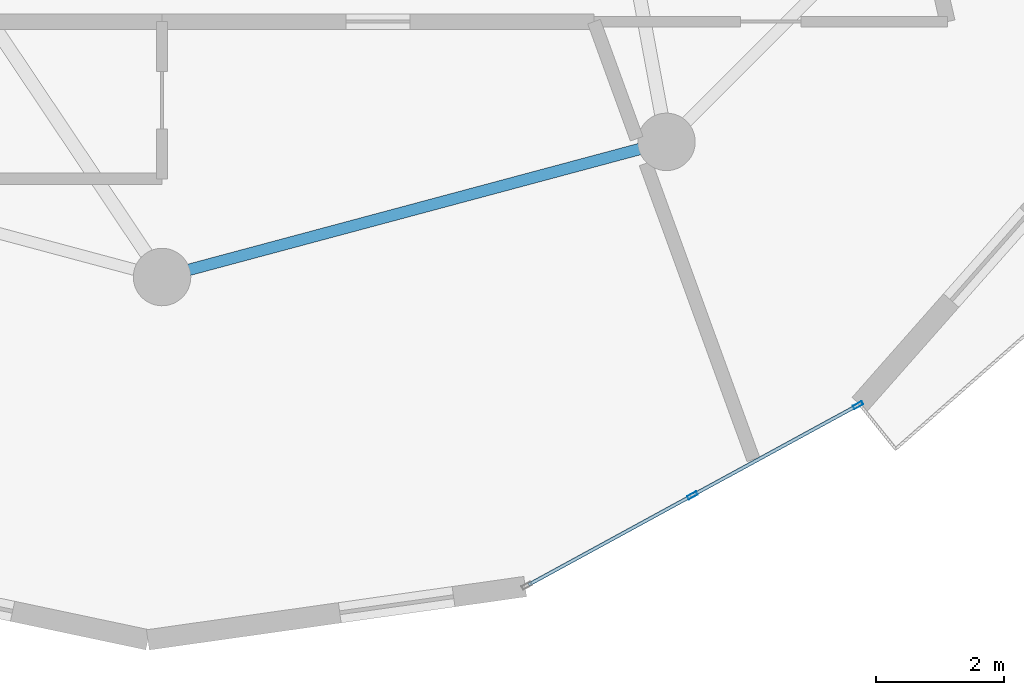
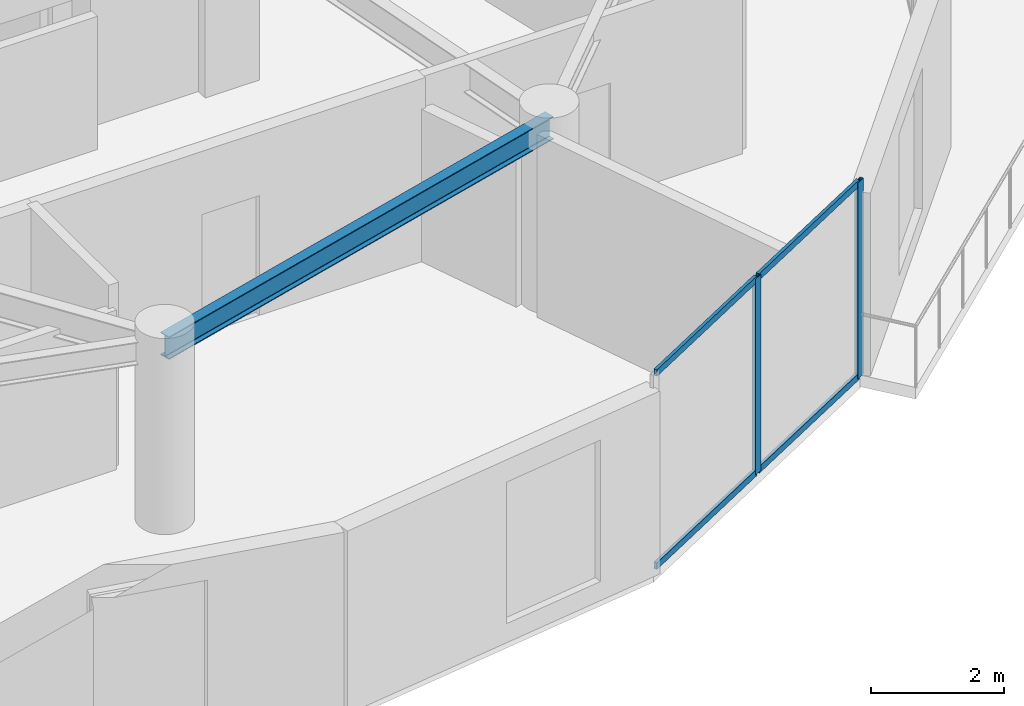
# One storey, part 5 of 21: 6 members, 1 beam, 1 element without a shape of its own.
"""IFC4 building model written with IfcOpenShell, lengths in metres."""

from ifc_helpers import new_model, si_unit, direction, frame, origin, origin_2d, place, context, subcontext, project, spatial, hollow_rectangle, i_section, extrude, source, transform, mapped, material, layer, layer_set, material_profile, profile_set, type_object, element, aggregate, save


model = new_model("IFC4")

# Units and contexts
model_context = context("Model", 3, precision=1e-05, world=origin(), true_north=direction((0.0, 1.0)))
body_context = subcontext(model_context, "Body", "Model", "MODEL_VIEW")
ifc_project = project(units=[si_unit("LENGTHUNIT", "METRE"), si_unit("AREAUNIT", "SQUARE_METRE"), si_unit("VOLUMEUNIT", "CUBIC_METRE"), si_unit("PLANEANGLEUNIT", "RADIAN"), si_unit("MASSUNIT", "GRAM", prefix="KILO")], contexts=[model_context])

# Site, building, storey
site_placement = place(None, origin())
site = spatial("IfcSite", under=ifc_project, at=site_placement, CompositionType="ELEMENT")
building_placement = place(site_placement, origin())
building = spatial("IfcBuilding", under=site, at=building_placement, Name="Solvirekh Grand Hotel", CompositionType="ELEMENT")
storey_placement = place(building_placement, frame((0.0, 0.0, 223.60009765625)))
storey = spatial("IfcBuildingStorey", under=building, at=storey_placement, Name="L58", CompositionType="ELEMENT", Elevation=223.60009765625)

# Beam
ifc_material_1 = material(Name="Steel S355", Category="steel")
ifc_material_profile_1 = material_profile(ifc_material_1, i_section(OverallWidth=0.180908203125, OverallDepth=0.4169921875, WebThickness=0.010009765625, FlangeThickness=0.01611328125, FilletRadius=0.011962890625, at=origin_2d()), Name="W410X85")
ifc_profile_set_1 = profile_set([ifc_material_profile_1], Name="Steel S355")
beam_type = type_object("IfcBeamType", Name="Spandrel_Ring_W410", PredefinedType="SPANDREL", material=ifc_profile_set_1)
beam_placement = place(storey_placement, frame((0.0, -15.800048828125, 3.15185546875), z_axis=(0.965920601923, 0.258838541915, 0.0), x_axis=(-0.258838541915, 0.965920601923, 0.0)))
element("IfcBeam", 1, at=beam_placement, inside=storey, type_object=beam_type, Name="L58 perimeter spandrel beam 10", PredefinedType="SPANDREL", context=body_context, shape_type="SweptSolid", body=[
    extrude(i_section(OverallWidth=0.180908203125, OverallDepth=0.4169921875, WebThickness=0.010009765625, FlangeThickness=0.01611328125, FilletRadius=0.011962890625, at=origin_2d()), origin(), (0.0, 0.0, 1.0), 8.1787109375),
])

# Curtain wall, members
ifc_material_2 = material(Name="Anodized Bronze Aluminium 6063-T6", Category="aluminium")
ifc_layer = layer(ifc_material_2, 0.159912109375)
ifc_layer_set = layer_set([ifc_layer], Name="Anodized Bronze Aluminium 6063-T6")
curtain_wall_type = type_object("IfcCurtainWallType", Name="CW_Sys4_HighZoneFlushBronzeCW", PredefinedType="NOTDEFINED", material=ifc_layer_set)
curtain_wall_placement = place(storey_placement, origin())
curtain_wall = element("IfcCurtainWall", 2, at=curtain_wall_placement, inside=storey, type_object=curtain_wall_type, Name="L58 unitised bronze-glass curtain wall CW-L58-C01", PredefinedType="NOTDEFINED")
ifc_material_profile_2 = material_profile(ifc_material_2, hollow_rectangle(XDim=0.054931640625, YDim=0.1201171875, WallThickness=0.00390625, at=origin_2d()), Name="ALU RHS 120X55X4")
ifc_profile_set_2 = profile_set([ifc_material_profile_2], Name="Anodized Bronze Aluminium 6063-T6")
member_type_1 = type_object("IfcMemberType", Name="CWTransom_Sys4", PredefinedType="USERDEFINED", material=ifc_profile_set_2)
shared_shape_1 = source(origin(), body_context, "Body", "SweptSolid", [
    extrude(hollow_rectangle(XDim=0.054931640625, YDim=0.1201171875, WallThickness=0.00390625, at=origin_2d()), origin(), (0.0, 0.0, 1.0), 2.893310546875),
])
member_1_placement = place(storey_placement, frame((8.332763671875, -19.20556640625, 0.02734375), z_axis=(0.878037418395, 0.478591988962, 0.0), x_axis=(-0.478591988962, 0.878037418395, 0.0)))
member_1 = element("IfcMember", 3, at=member_1_placement, type_object=member_type_1, Name="U04 transom 2.1", ObjectType="TRANSOM", PredefinedType="USERDEFINED", context=body_context, shape_type="MappedRepresentation", body=[
    mapped(shared_shape_1, transform((0.0, 0.0, 0.0), x_axis=(1.0, 0.0, 0.0), y_axis=(0.0, 1.0, 0.0), z_axis=(0.0, 0.0, 1.0), scale=1.0)),
])
member_2_placement = place(storey_placement, frame((8.332763671875, -19.20556640625, 3.572509765625), z_axis=(0.878037418395, 0.478591988962, 0.0), x_axis=(-0.478591988962, 0.878037418395, 0.0)))
member_2 = element("IfcMember", 4, at=member_2_placement, type_object=member_type_1, Name="U04 transom 2.2", ObjectType="TRANSOM", PredefinedType="USERDEFINED", context=body_context, shape_type="MappedRepresentation", body=[
    mapped(shared_shape_1, transform((0.0, 0.0, 0.0), x_axis=(1.0, 0.0, 0.0), y_axis=(0.0, 1.0, 0.0), z_axis=(0.0, 0.0, 1.0), scale=1.0)),
])
ifc_material_profile_3 = material_profile(ifc_material_2, hollow_rectangle(XDim=0.06005859375, YDim=0.159912109375, WallThickness=0.0048828125, at=origin_2d()), Name="ALU RHS 160X60X5")
ifc_profile_set_3 = profile_set([ifc_material_profile_3], Name="Anodized Bronze Aluminium 6063-T6")
member_type_2 = type_object("IfcMemberType", Name="CWMullion_Sys4", PredefinedType="MULLION", material=ifc_profile_set_3)
shared_shape_2 = source(origin(), body_context, "Body", "SweptSolid", [
    extrude(hollow_rectangle(XDim=0.06005859375, YDim=0.159912109375, WallThickness=0.0048828125, at=origin_2d()), origin(), (0.0, 0.0, 1.0), 3.599853515625),
])
member_3_placement = place(storey_placement, frame((8.306396484375, -19.219970703125, 0.0), z_axis=(0.0, 0.0, 1.0), x_axis=(-0.478640759614, 0.878010833211, 0.0)))
member_3 = element("IfcMember", 5, at=member_3_placement, type_object=member_type_2, Name="U04 mullion 2", PredefinedType="MULLION", context=body_context, shape_type="MappedRepresentation", body=[
    mapped(shared_shape_2, transform((0.0, 0.0, 0.0), x_axis=(1.0, 0.0, 0.0), y_axis=(0.0, 1.0, 0.0), z_axis=(0.0, 0.0, 1.0), scale=1.0)),
])
member_4_placement = place(storey_placement, frame((10.899658203125, -17.806396484375, 0.0), z_axis=(0.0, 0.0, 1.0), x_axis=(-0.478640759614, 0.878010833211, 0.0)))
member_4 = element("IfcMember", 6, at=member_4_placement, type_object=member_type_2, Name="U04 mullion 3", PredefinedType="MULLION", context=body_context, shape_type="MappedRepresentation", body=[
    mapped(shared_shape_2, transform((0.0, 0.0, 0.0), x_axis=(1.0, 0.0, 0.0), y_axis=(0.0, 1.0, 0.0), z_axis=(0.0, 0.0, 1.0), scale=1.0)),
])
shared_shape_3 = source(origin(), body_context, "Body", "SweptSolid", [
    extrude(hollow_rectangle(XDim=0.054931640625, YDim=0.1201171875, WallThickness=0.00390625, at=origin_2d()), origin(), (0.0, 0.0, 1.0), 2.8935546875),
])
member_5_placement = place(storey_placement, frame((5.73974609375, -20.619384765625, 0.02734375), z_axis=(0.878001959955, 0.478657036212, 0.0), x_axis=(-0.478657036212, 0.878001959955, 0.0)))
member_5 = element("IfcMember", 7, at=member_5_placement, type_object=member_type_1, Name="U04 transom 1.1", ObjectType="TRANSOM", PredefinedType="USERDEFINED", context=body_context, shape_type="MappedRepresentation", body=[
    mapped(shared_shape_3, transform((0.0, 0.0, 0.0), x_axis=(1.0, 0.0, 0.0), y_axis=(0.0, 1.0, 0.0), z_axis=(0.0, 0.0, 1.0), scale=1.0)),
])
member_6_placement = place(storey_placement, frame((5.73974609375, -20.619384765625, 3.572509765625), z_axis=(0.878001959955, 0.478657036212, 0.0), x_axis=(-0.478657036212, 0.878001959955, 0.0)))
member_6 = element("IfcMember", 8, at=member_6_placement, type_object=member_type_1, Name="U04 transom 1.2", ObjectType="TRANSOM", PredefinedType="USERDEFINED", context=body_context, shape_type="MappedRepresentation", body=[
    mapped(shared_shape_3, transform((0.0, 0.0, 0.0), x_axis=(1.0, 0.0, 0.0), y_axis=(0.0, 1.0, 0.0), z_axis=(0.0, 0.0, 1.0), scale=1.0)),
])
aggregate(curtain_wall, [member_3, member_4, member_5, member_6, member_1, member_2])

save(model, "model.ifc")
